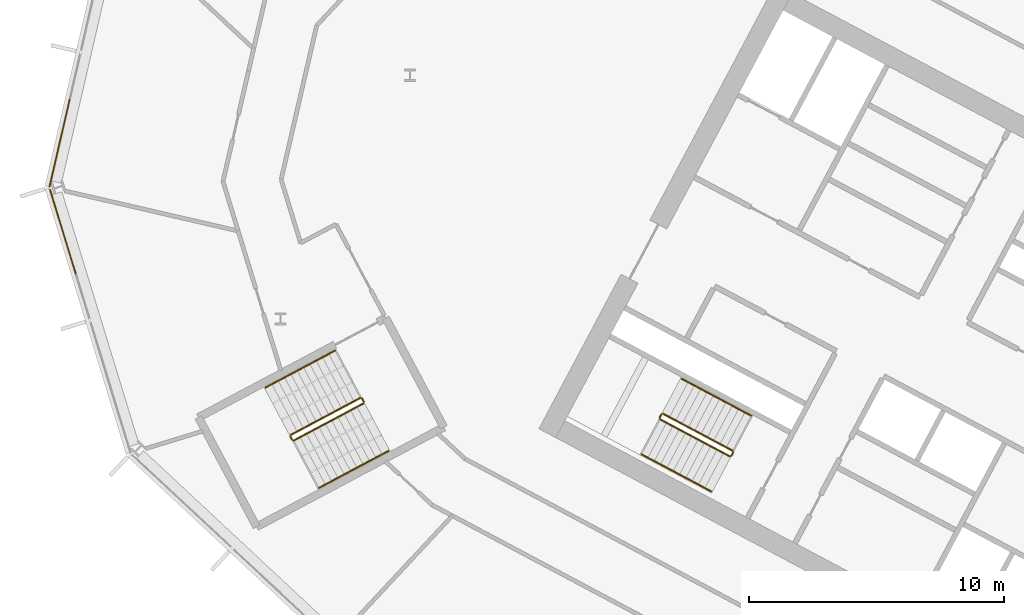
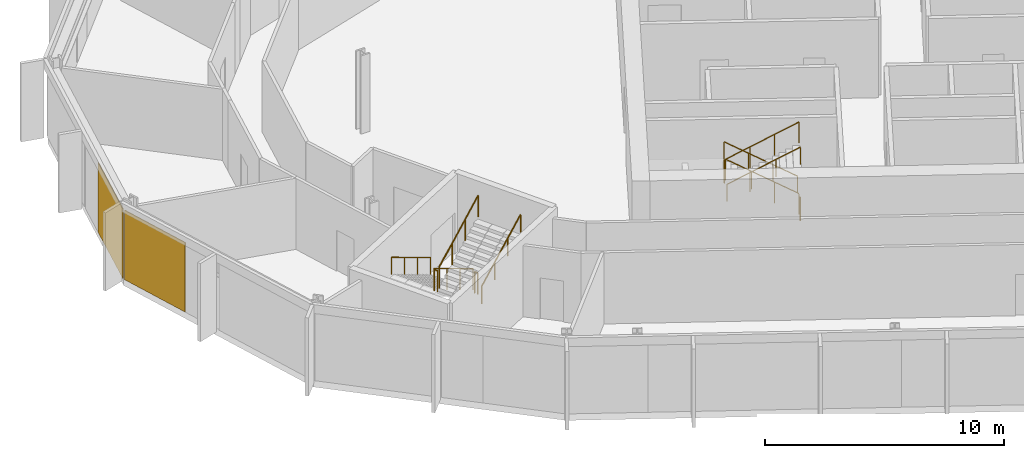
# One storey, part 21 of 28: 12 railings, 2 coverings, 2 elements without a shape of their own.
"""IFC4 building model written with IfcOpenShell, lengths in metres."""

import ifcopenshell
import ifcopenshell.guid

model = None  # the IFC model being written
_history = None  # IfcOwnerHistory: only IFC2X3 demands one
_inside = {}  # id of a spatial element -> (the spatial element, [elements in it])
_under = {}  # id of a project, library or spatial element -> (it, [spatial elements below it])
_declared = {}  # id of a project -> (the project, [libraries it declares])
_typed = {}  # id of a type object -> (the type object, [elements of that type])
_made_of = {}  # id of a material, layer set ... -> (it, [elements and type objects made of it])


def new_model(schema):
    """Start an empty IFC model of exactly this schema.

    Asked for "IFC4X3", IfcOpenShell would pick the latest addendum, in which some entities
    have other attributes; the version numbers below select the first issue.
    IFC2X3 requires an IfcOwnerHistory on every rooted entity: one is made here for all.
    """
    global model, _history
    if schema == "IFC4X3":
        model = ifcopenshell.file(schema_version=(4, 3, 0, 0))
    else:
        model = ifcopenshell.file(schema=schema)
    _inside.clear()
    _under.clear()
    _declared.clear()
    _typed.clear()
    _made_of.clear()
    _history = None
    if model.schema == "IFC2X3":
        org = make("IfcOrganization", Name="unknown")
        user = make(
            "IfcPersonAndOrganization",
            ThePerson=make("IfcPerson", FamilyName="unknown"),
            TheOrganization=org,
        )
        app = make(
            "IfcApplication",
            ApplicationDeveloper=org,
            Version="unknown",
            ApplicationFullName="unknown",
            ApplicationIdentifier="unknown",
        )
        _history = make(
            "IfcOwnerHistory",
            OwningUser=user,
            OwningApplication=app,
            ChangeAction="ADDED",
            CreationDate=0,
        )
    return model


def make(cls, **values):
    """One entity of the class cls with the attributes given. An attribute that is None is left unset."""
    return model.create_entity(
        cls, **{name: value for name, value in values.items() if value is not None}
    )


def rooted(cls, **values):
    """An entity with a GlobalId (a new one), such as an element, a storey or a relation."""
    return make(cls, GlobalId=ifcopenshell.guid.new(), OwnerHistory=_history, **values)


def si_unit(unit_type, name, prefix=None):
    """IfcSIUnit, for example si_unit("LENGTHUNIT", "METRE", prefix="MILLI")."""
    return make("IfcSIUnit", UnitType=unit_type, Prefix=prefix, Name=name)


def assignment(units):
    """IfcUnitAssignment: the units of a project."""
    return None if units is None else make("IfcUnitAssignment", Units=units)


def point(xyz):
    """IfcCartesianPoint."""
    return None if xyz is None else make("IfcCartesianPoint", Coordinates=xyz)


def direction(xyz):
    """IfcDirection."""
    return None if xyz is None else make("IfcDirection", DirectionRatios=xyz)


def frame(location, z_axis=None, x_axis=None):
    """IfcAxis2Placement3D, a coordinate frame: its origin and axes. An axis left out is left unset."""
    return make(
        "IfcAxis2Placement3D",
        Location=point(location),
        Axis=direction(z_axis),
        RefDirection=direction(x_axis),
    )


def frame_2d(location, x_axis=None):
    """IfcAxis2Placement2D, a coordinate frame in the plane: its origin and x axis."""
    return make(
        "IfcAxis2Placement2D", Location=point(location), RefDirection=direction(x_axis)
    )


def origin():
    """The frame at (0, 0, 0) with its axes left unset."""
    return frame((0.0, 0.0, 0.0))


def origin_2d():
    """The frame at (0, 0) in the plane with its x axis left unset."""
    return frame_2d((0.0, 0.0))


def place(relative_to, where):
    """IfcLocalPlacement: puts the frame where relative to a parent placement (None: the world)."""
    return make(
        "IfcLocalPlacement", PlacementRelTo=relative_to, RelativePlacement=where
    )


def context(
    kind, dimensions, precision=None, world=None, true_north=None, identifier=None
):
    """IfcGeometricRepresentationContext, for example the 3D "Model" context."""
    return make(
        "IfcGeometricRepresentationContext",
        ContextIdentifier=identifier,
        ContextType=kind,
        CoordinateSpaceDimension=dimensions,
        Precision=precision,
        WorldCoordinateSystem=world,
        TrueNorth=true_north,
    )


def subcontext(parent, identifier, kind, view, scale=None):
    """IfcGeometricRepresentationSubContext, for example "Body" below "Model"."""
    return make(
        "IfcGeometricRepresentationSubContext",
        ContextIdentifier=identifier,
        ContextType=kind,
        ParentContext=parent,
        TargetScale=scale,
        TargetView=view,
    )


def project(units=None, contexts=None):
    """IfcProject with its units and contexts."""
    return rooted(
        "IfcProject",
        Name="project",
        RepresentationContexts=contexts,
        UnitsInContext=assignment(units),
    )


def spatial(cls, under=None, at=None, **own):
    """A site, building, storey or space (cls), placed at a placement, below another one or the project."""
    s = rooted(cls, ObjectPlacement=at, **own)
    if under is not None:
        _under.setdefault(under.id(), (under, []))[1].append(s)
    return s


def polyline(points):
    """IfcPolyline through the points."""
    return make("IfcPolyline", Points=[point(p) for p in points])


def profile(cls, at=None, kind="AREA", **sizes):
    """A parametric profile (cls). Its sizes go by their IFC names, for example OverallWidth=200.0."""
    return make(cls, ProfileType=kind, Position=at, **sizes)


def rectangle(**sizes):
    """IfcRectangleProfileDef."""
    return profile("IfcRectangleProfileDef", **sizes)


def outline(outer, holes=None, kind="AREA"):
    """IfcArbitraryClosedProfileDef: a profile drawn as a closed curve; with holes, ...WithVoids."""
    if holes is None:
        return make("IfcArbitraryClosedProfileDef", ProfileType=kind, OuterCurve=outer)
    return make(
        "IfcArbitraryProfileDefWithVoids",
        ProfileType=kind,
        OuterCurve=outer,
        InnerCurves=holes,
    )


def extrude(swept, where, along, depth):
    """IfcExtrudedAreaSolid: the profile swept, set in the frame where, extruded along a direction by depth."""
    return make(
        "IfcExtrudedAreaSolid",
        SweptArea=swept,
        Position=where,
        ExtrudedDirection=direction(along),
        Depth=depth,
    )


def shape(context_of_items, identifier, shape_type, items):
    """IfcShapeRepresentation: the items that make up one representation, for example the "Body"."""
    return make(
        "IfcShapeRepresentation",
        ContextOfItems=context_of_items,
        RepresentationIdentifier=identifier,
        RepresentationType=shape_type,
        Items=items,
    )


def material(Name=None, Category=None):
    """IfcMaterial."""
    return make("IfcMaterial", Name=Name, Category=Category)


def layer(
    of_material, thickness, ventilated=None, Name=None, Category=None, Priority=None
):
    """IfcMaterialLayer: one layer of a wall or slab, of a material (None: an air gap)."""
    return make(
        "IfcMaterialLayer",
        Material=of_material,
        LayerThickness=thickness,
        IsVentilated=ventilated,
        Name=Name,
        Category=Category,
        Priority=Priority,
    )


def layer_set(layers, Name=None):
    """IfcMaterialLayerSet."""
    return make("IfcMaterialLayerSet", MaterialLayers=layers, LayerSetName=Name)


def made_of(thing, what):
    """Note that an element or type object is made of a material, layer set ...; save() writes the relation."""
    if what is not None:
        _made_of.setdefault(what.id(), (what, []))[1].append(thing)
    return thing


def type_object(cls, material=None, **own):
    """A type object (cls), such as IfcWallType, which elements share."""
    return made_of(rooted(cls, **own), material)


def element(
    cls,
    number,
    at=None,
    inside=None,
    cuts=None,
    type_object=None,
    material=None,
    context=None,
    identifier="Body",
    shape_type=None,
    held_by="IfcProductDefinitionShape",
    body=None,
    shapes=None,
    **own,
):
    """One element of the class cls, such as IfcWall. Its Tag is "e" and its number.

    at: its placement. inside: the storey or other place that contains it. cuts: it is an
    opening in that element (IfcRelVoidsElement). A single representation is given by context,
    identifier, shape_type and body (its items); several are given by shapes. held_by: the class
    of the entity that holds the representations. save() writes the other relations.
    """
    e = rooted(cls, Tag="e%d" % number, ObjectPlacement=at, **own)
    if body is not None:
        shapes = [shape(context, identifier, shape_type, body)]
    if shapes is not None:
        e.Representation = make(held_by, Representations=shapes)
    if inside is not None:
        _inside.setdefault(inside.id(), (inside, []))[1].append(e)
    if cuts is not None:
        rooted(
            "IfcRelVoidsElement", RelatingBuildingElement=cuts, RelatedOpeningElement=e
        )
    if type_object is not None:
        _typed.setdefault(type_object.id(), (type_object, []))[1].append(e)
    return made_of(e, material)


def aggregate(whole, parts):
    """IfcRelAggregates: a whole, such as a stair, and the parts it consists of."""
    return rooted("IfcRelAggregates", RelatingObject=whole, RelatedObjects=parts)


def save(model, path):
    """Write the relations noted so far, then the file.

    IfcRelAggregates (storeys below a building ...), IfcRelContainedInSpatialStructure (elements
    in a storey), IfcRelDefinesByType, IfcRelAssociatesMaterial and IfcRelDeclares: one each for
    every whole, place, type object, material and project.
    """
    for whole, parts in _under.values():
        aggregate(whole, parts)
    for where, things in _inside.values():
        rooted(
            "IfcRelContainedInSpatialStructure",
            RelatedElements=things,
            RelatingStructure=where,
        )
    for kind, things in _typed.values():
        rooted("IfcRelDefinesByType", RelatedObjects=things, RelatingType=kind)
    for what, things in _made_of.values():
        rooted("IfcRelAssociatesMaterial", RelatedObjects=things, RelatingMaterial=what)
    for by, libraries in _declared.values():
        rooted("IfcRelDeclares", RelatingContext=by, RelatedDefinitions=libraries)
    model.write(path)


model = new_model("IFC4")

# Units and contexts
model_context = context("Model", 3, precision=1e-05, world=origin(), true_north=direction((0.0, 1.0)))
body_context = subcontext(model_context, "Body", "Model", "MODEL_VIEW")
ifc_project = project(units=[si_unit("LENGTHUNIT", "METRE"), si_unit("AREAUNIT", "SQUARE_METRE"), si_unit("VOLUMEUNIT", "CUBIC_METRE"), si_unit("PLANEANGLEUNIT", "RADIAN"), si_unit("MASSUNIT", "GRAM", prefix="KILO")], contexts=[model_context])

# Site, building, storey
site_placement = place(None, origin())
site = spatial("IfcSite", under=ifc_project, at=site_placement, CompositionType="ELEMENT")
building_placement = place(site_placement, origin())
building = spatial("IfcBuilding", under=site, at=building_placement, Name="Cormorant Relay Tower", CompositionType="ELEMENT")
storey_placement = place(building_placement, frame((0.0, 0.0, 158.199951171875)))
storey = spatial("IfcBuildingStorey", under=building, at=storey_placement, Name="L33", CompositionType="ELEMENT", Elevation=158.199951171875)

# Curtain wall, covering
ifc_material_1 = material(Name="Aluminium 6063-T6 anodised bronze", Category="aluminium")
ifc_layer_1 = layer(ifc_material_1, 0.199951171875)
ifc_layer_set_1 = layer_set([ifc_layer_1], Name="CW1 unitised bronze curtain wall with vertical fins")
curtain_wall_type = type_object("IfcCurtainWallType", Name="CW1 unitised bronze curtain wall with vertical fins", PredefinedType="NOTDEFINED", material=ifc_layer_set_1)
curtain_wall_1_placement = place(storey_placement, origin())
curtain_wall_1 = element("IfcCurtainWall", 1, at=curtain_wall_1_placement, inside=storey, type_object=curtain_wall_type, Name="CW1 curtain wall 13", PredefinedType="NOTDEFINED")
ifc_material_2 = material(Name="Pale bronze anodised aluminium insulated panel", Category="aluminium")
ifc_layer_2 = layer(ifc_material_2, 0.0400390625)
ifc_layer_set_2 = layer_set([ifc_layer_2], Name="CW1 pale bronze insulated panel 40")
covering_type = type_object("IfcCoveringType", Name="CW1 pale bronze insulated panel 40", PredefinedType="CLADDING", material=ifc_layer_set_2)
covering_1_placement = place(storey_placement, frame((-60.3388671875, 22.13232421875, 0.0), z_axis=(0.0, 0.0, 1.0), x_axis=(-0.224951054344, -0.974370064785, 0.0)))
covering_1 = element("IfcCovering", 2, at=covering_1_placement, type_object=covering_type, Name="CW1 panel S02", PredefinedType="CLADDING", context=body_context, shape_type="SweptSolid", body=[
    extrude(rectangle(XDim=3.560302734375, YDim=0.0400390625, at=origin_2d()), origin(), (0.0, 0.0, 1.0), 3.550048828125),
])
aggregate(curtain_wall_1, [covering_1])

curtain_wall_2_placement = place(storey_placement, origin())
curtain_wall_2 = element("IfcCurtainWall", 3, at=curtain_wall_2_placement, inside=storey, type_object=curtain_wall_type, Name="CW1 curtain wall 14", PredefinedType="NOTDEFINED")
covering_2_placement = place(storey_placement, frame((-60.20751953125, 18.6494140625, 0.0), z_axis=(0.0, 0.0, 1.0), x_axis=(0.292371704723, -0.956304755963, 0.0)))
covering_2 = element("IfcCovering", 4, at=covering_2_placement, type_object=covering_type, Name="CW1 panel S00", PredefinedType="CLADDING", context=body_context, shape_type="SweptSolid", body=[
    extrude(rectangle(XDim=3.485107421875, YDim=0.0400390625, at=origin_2d()), origin(), (0.0, 0.0, 1.0), 3.550048828125),
])
aggregate(curtain_wall_2, [covering_2])

# Railings
ifc_material_3 = material(Name="Steel ASTM A572 Grade 50 (Fy 345 MPa)", Category="steel")
railing_type_1 = type_object("IfcRailingType", Name="Stair guard 1100", PredefinedType="GUARDRAIL", material=ifc_material_3)
railing_1_placement = place(storey_placement, frame((-33.9921875, 10.08935546875, 0.166748046875)))
element("IfcRailing", 5, at=railing_1_placement, inside=storey, type_object=railing_type_1, Name="L33 A2 stair guard 1", PredefinedType="GUARDRAIL", context=body_context, shape_type="SweptSolid", body=[
    extrude(outline(polyline([(0.022216796875, 0.00927734375), (0.00927734375, 0.022216796875), (-0.00927734375, 0.022216796875), (-0.022216796875, 0.00927734375), (-0.022216796875, -0.00927734375), (-0.00927734375, -0.022216796875), (0.00927734375, -0.022216796875), (0.022216796875, -0.00927734375), (0.022216796875, 0.00927734375)])), frame((0.0, 0.0, 1.076171875), z_axis=(-0.758713656843, 0.403434867536, 0.511462505542), x_axis=(-0.469489399267, -0.882938108802, 0.0)), (0.0, 0.0, 1.0), 3.584228515625),
    extrude(outline(polyline([(0.019287109375, 0.008056640625), (0.008056640625, 0.019287109375), (-0.008056640625, 0.019287109375), (-0.019287109375, 0.008056640625), (-0.019287109375, -0.008056640625), (-0.008056640625, -0.019287109375), (0.008056640625, -0.019287109375), (0.019287109375, -0.008056640625), (0.019287109375, 0.008056640625)])), origin(), (0.0, 0.0, 1.0), 1.052001953125),
    extrude(outline(polyline([(0.019287109375, 0.008056640625), (0.008056640625, 0.019287109375), (-0.008056640625, 0.019287109375), (-0.019287109375, 0.008056640625), (-0.019287109375, -0.008056640625), (-0.008056640625, -0.019287109375), (0.008056640625, -0.019287109375), (0.019287109375, -0.008056640625), (0.019287109375, 0.008056640625)])), frame((-0.906494140625, 0.48193359375, 0.611083984375)), (0.0, 0.0, 1.0), 1.052001953125),
    extrude(outline(polyline([(0.019287109375, 0.008056640625), (0.008056640625, 0.019287109375), (-0.008056640625, 0.019287109375), (-0.019287109375, 0.008056640625), (-0.019287109375, -0.008056640625), (-0.008056640625, -0.019287109375), (0.008056640625, -0.019287109375), (0.019287109375, -0.008056640625), (0.019287109375, 0.008056640625)])), frame((-1.81298828125, 0.964111328125, 1.22216796875)), (0.0, 0.0, 1.0), 1.052001953125),
    extrude(outline(polyline([(0.019287109375, 0.008056640625), (0.008056640625, 0.019287109375), (-0.008056640625, 0.019287109375), (-0.019287109375, 0.008056640625), (-0.019287109375, -0.008056640625), (-0.008056640625, -0.019287109375), (0.008056640625, -0.019287109375), (0.019287109375, -0.008056640625), (0.019287109375, 0.008056640625)])), frame((-2.719482421875, 1.446044921875, 1.833251953125)), (0.0, 0.0, 1.0), 1.052001953125),
])
railing_2_placement = place(storey_placement, frame((-36.779296875, 11.5146484375, 2.0)))
element("IfcRailing", 6, at=railing_2_placement, inside=storey, type_object=railing_type_1, Name="L33 A2 stair guard 2", PredefinedType="GUARDRAIL", context=body_context, shape_type="SweptSolid", body=[
    extrude(outline(polyline([(0.022216796875, 0.00927734375), (0.00927734375, 0.022216796875), (-0.00927734375, 0.022216796875), (-0.022216796875, 0.00927734375), (-0.022216796875, -0.00927734375), (-0.00927734375, -0.022216796875), (0.00927734375, -0.022216796875), (0.022216796875, -0.00927734375), (0.022216796875, 0.00927734375)])), frame((0.0, 0.0, 1.076171875), z_axis=(-0.469234640946, -0.883073525669, 0.0), x_axis=(0.883073525669, -0.469234640946, 0.0)), (0.0, 0.0, 1.0), 0.14990234375),
    extrude(outline(polyline([(0.019287109375, 0.008056640625), (0.008056640625, 0.019287109375), (-0.008056640625, 0.019287109375), (-0.019287109375, 0.008056640625), (-0.019287109375, -0.008056640625), (-0.008056640625, -0.019287109375), (0.008056640625, -0.019287109375), (0.019287109375, -0.008056640625), (0.019287109375, 0.008056640625)])), origin(), (0.0, 0.0, 1.0), 1.052001953125),
    extrude(outline(polyline([(0.019287109375, 0.008056640625), (0.008056640625, 0.019287109375), (-0.008056640625, 0.019287109375), (-0.019287109375, 0.008056640625), (-0.019287109375, -0.008056640625), (-0.008056640625, -0.019287109375), (0.008056640625, -0.019287109375), (0.019287109375, -0.008056640625), (0.019287109375, 0.008056640625)])), frame((-0.0703125, -0.13232421875, 0.0)), (0.0, 0.0, 1.0), 1.052001953125),
])
railing_3_placement = place(storey_placement, frame((-36.8291015625, 11.314697265625, 2.166748046875)))
element("IfcRailing", 7, at=railing_3_placement, inside=storey, type_object=railing_type_1, Name="L33 A2 stair guard 3", PredefinedType="GUARDRAIL", context=body_context, shape_type="SweptSolid", body=[
    extrude(outline(polyline([(0.022216796875, 0.00927734375), (0.00927734375, 0.022216796875), (-0.00927734375, 0.022216796875), (-0.022216796875, 0.00927734375), (-0.022216796875, -0.00927734375), (-0.00927734375, -0.022216796875), (0.00927734375, -0.022216796875), (0.022216796875, -0.00927734375), (0.022216796875, 0.00927734375)])), frame((0.0, 0.0, 1.076171875), z_axis=(0.758713656843, -0.403434867536, 0.511462505542), x_axis=(0.469489399267, 0.882938108802, 0.0)), (0.0, 0.0, 1.0), 3.584228515625),
    extrude(outline(polyline([(0.019287109375, 0.008056640625), (0.008056640625, 0.019287109375), (-0.008056640625, 0.019287109375), (-0.019287109375, 0.008056640625), (-0.019287109375, -0.008056640625), (-0.008056640625, -0.019287109375), (0.008056640625, -0.019287109375), (0.019287109375, -0.008056640625), (0.019287109375, 0.008056640625)])), origin(), (0.0, 0.0, 1.0), 1.052001953125),
    extrude(outline(polyline([(0.019287109375, 0.008056640625), (0.008056640625, 0.019287109375), (-0.008056640625, 0.019287109375), (-0.019287109375, 0.008056640625), (-0.019287109375, -0.008056640625), (-0.008056640625, -0.019287109375), (0.008056640625, -0.019287109375), (0.019287109375, -0.008056640625), (0.019287109375, 0.008056640625)])), frame((0.906494140625, -0.48193359375, 0.611083984375)), (0.0, 0.0, 1.0), 1.052001953125),
    extrude(outline(polyline([(0.019287109375, 0.008056640625), (0.008056640625, 0.019287109375), (-0.008056640625, 0.019287109375), (-0.019287109375, 0.008056640625), (-0.019287109375, -0.008056640625), (-0.008056640625, -0.019287109375), (0.008056640625, -0.019287109375), (0.019287109375, -0.008056640625), (0.019287109375, 0.008056640625)])), frame((1.81298828125, -0.964111328125, 1.22216796875)), (0.0, 0.0, 1.0), 1.052001953125),
    extrude(outline(polyline([(0.019287109375, 0.008056640625), (0.008056640625, 0.019287109375), (-0.008056640625, 0.019287109375), (-0.019287109375, 0.008056640625), (-0.019287109375, -0.008056640625), (-0.008056640625, -0.019287109375), (0.008056640625, -0.019287109375), (0.019287109375, -0.008056640625), (0.019287109375, 0.008056640625)])), frame((2.719482421875, -1.446044921875, 1.833251953125)), (0.0, 0.0, 1.0), 1.052001953125),
])
railing_4_placement = place(storey_placement, frame((-33.971435546875, 10.021728515625, 0.0)))
element("IfcRailing", 8, at=railing_4_placement, inside=storey, type_object=railing_type_1, Name="L33 A2 stair guard 4", PredefinedType="GUARDRAIL", context=body_context, shape_type="SweptSolid", body=[
    extrude(outline(polyline([(0.022216796875, 0.00927734375), (0.00927734375, 0.022216796875), (-0.00927734375, 0.022216796875), (-0.022216796875, 0.00927734375), (-0.022216796875, -0.00927734375), (-0.00927734375, -0.022216796875), (0.00927734375, -0.022216796875), (0.022216796875, -0.00927734375), (0.022216796875, 0.00927734375)])), frame((0.0, 0.0, 1.076171875), z_axis=(-0.470503732759, -0.882398003998, 0.0), x_axis=(0.882398003998, -0.470503732759, 0.0)), (0.0, 0.0, 1.0), 0.14990234375),
    extrude(outline(polyline([(0.019287109375, 0.008056640625), (0.008056640625, 0.019287109375), (-0.008056640625, 0.019287109375), (-0.019287109375, 0.008056640625), (-0.019287109375, -0.008056640625), (-0.008056640625, -0.019287109375), (0.008056640625, -0.019287109375), (0.019287109375, -0.008056640625), (0.019287109375, 0.008056640625)])), origin(), (0.0, 0.0, 1.0), 1.052001953125),
    extrude(outline(polyline([(0.019287109375, 0.008056640625), (0.008056640625, 0.019287109375), (-0.008056640625, 0.019287109375), (-0.019287109375, 0.008056640625), (-0.019287109375, -0.008056640625), (-0.008056640625, -0.019287109375), (0.008056640625, -0.019287109375), (0.019287109375, -0.008056640625), (0.019287109375, 0.008056640625)])), frame((-0.070556640625, -0.13232421875, 0.0)), (0.0, 0.0, 1.0), 1.052001953125),
])
railing_5_placement = place(storey_placement, frame((-48.5693359375, 12.155517578125, 0.166748046875)))
element("IfcRailing", 9, at=railing_5_placement, inside=storey, type_object=railing_type_1, Name="L33 RP1 stair guard 1", PredefinedType="GUARDRAIL", context=body_context, shape_type="SweptSolid", body=[
    extrude(outline(polyline([(0.022216796875, 0.00927734375), (0.00927734375, 0.022216796875), (-0.00927734375, 0.022216796875), (-0.022216796875, 0.00927734375), (-0.022216796875, -0.00927734375), (-0.00927734375, -0.022216796875), (0.00927734375, -0.022216796875), (0.022216796875, -0.00927734375), (0.022216796875, 0.00927734375)])), frame((0.0, 0.0, 1.076171875), z_axis=(-0.758713656843, -0.403434867536, 0.511462505542), x_axis=(0.469489399267, -0.882938108802, 0.0)), (0.0, 0.0, 1.0), 3.584228515625),
    extrude(outline(polyline([(0.019287109375, 0.008056640625), (0.008056640625, 0.019287109375), (-0.008056640625, 0.019287109375), (-0.019287109375, 0.008056640625), (-0.019287109375, -0.008056640625), (-0.008056640625, -0.019287109375), (0.008056640625, -0.019287109375), (0.019287109375, -0.008056640625), (0.019287109375, 0.008056640625)])), origin(), (0.0, 0.0, 1.0), 1.052001953125),
    extrude(outline(polyline([(0.019287109375, 0.008056640625), (0.008056640625, 0.019287109375), (-0.008056640625, 0.019287109375), (-0.019287109375, 0.008056640625), (-0.019287109375, -0.008056640625), (-0.008056640625, -0.019287109375), (0.008056640625, -0.019287109375), (0.019287109375, -0.008056640625), (0.019287109375, 0.008056640625)])), frame((-0.906494140625, -0.48193359375, 0.611083984375)), (0.0, 0.0, 1.0), 1.052001953125),
    extrude(outline(polyline([(0.019287109375, 0.008056640625), (0.008056640625, 0.019287109375), (-0.008056640625, 0.019287109375), (-0.019287109375, 0.008056640625), (-0.019287109375, -0.008056640625), (-0.008056640625, -0.019287109375), (0.008056640625, -0.019287109375), (0.019287109375, -0.008056640625), (0.019287109375, 0.008056640625)])), frame((-1.81298828125, -0.964111328125, 1.22216796875)), (0.0, 0.0, 1.0), 1.052001953125),
    extrude(outline(polyline([(0.019287109375, 0.008056640625), (0.008056640625, 0.019287109375), (-0.008056640625, 0.019287109375), (-0.019287109375, 0.008056640625), (-0.019287109375, -0.008056640625), (-0.008056640625, -0.019287109375), (0.008056640625, -0.019287109375), (0.019287109375, -0.008056640625), (0.019287109375, 0.008056640625)])), frame((-2.719482421875, -1.446044921875, 1.833251953125)), (0.0, 0.0, 1.0), 1.052001953125),
])
railing_6_placement = place(storey_placement, frame((-51.3095703125, 10.641845703125, 2.0)))
element("IfcRailing", 10, at=railing_6_placement, inside=storey, type_object=railing_type_1, Name="L33 RP1 stair guard 2", PredefinedType="GUARDRAIL", context=body_context, shape_type="SweptSolid", body=[
    extrude(outline(polyline([(0.022216796875, 0.00927734375), (0.00927734375, 0.022216796875), (-0.00927734375, 0.022216796875), (-0.022216796875, 0.00927734375), (-0.022216796875, -0.00927734375), (-0.00927734375, -0.022216796875), (0.00927734375, -0.022216796875), (0.022216796875, -0.00927734375), (0.022216796875, 0.00927734375)])), frame((0.0, 0.0, 1.076171875), z_axis=(0.469828648786, -0.882757634224, 0.0), x_axis=(0.882757634224, 0.469828648786, 0.0)), (0.0, 0.0, 1.0), 0.150146484375),
    extrude(outline(polyline([(0.019287109375, 0.008056640625), (0.008056640625, 0.019287109375), (-0.008056640625, 0.019287109375), (-0.019287109375, 0.008056640625), (-0.019287109375, -0.008056640625), (-0.008056640625, -0.019287109375), (0.008056640625, -0.019287109375), (0.019287109375, -0.008056640625), (0.019287109375, 0.008056640625)])), origin(), (0.0, 0.0, 1.0), 1.052001953125),
    extrude(outline(polyline([(0.019287109375, 0.008056640625), (0.008056640625, 0.019287109375), (-0.008056640625, 0.019287109375), (-0.019287109375, 0.008056640625), (-0.019287109375, -0.008056640625), (-0.008056640625, -0.019287109375), (0.008056640625, -0.019287109375), (0.019287109375, -0.008056640625), (0.019287109375, 0.008056640625)])), frame((0.070556640625, -0.132568359375, 0.0)), (0.0, 0.0, 1.0), 1.052001953125),
])
railing_7_placement = place(storey_placement, frame((-51.17138671875, 10.48876953125, 2.166748046875)))
element("IfcRailing", 11, at=railing_7_placement, inside=storey, type_object=railing_type_1, Name="L33 RP1 stair guard 3", PredefinedType="GUARDRAIL", context=body_context, shape_type="SweptSolid", body=[
    extrude(outline(polyline([(0.022216796875, 0.00927734375), (0.00927734375, 0.022216796875), (-0.00927734375, 0.022216796875), (-0.022216796875, 0.00927734375), (-0.022216796875, -0.00927734375), (-0.00927734375, -0.022216796875), (0.00927734375, -0.022216796875), (0.022216796875, -0.00927734375), (0.022216796875, 0.00927734375)])), frame((0.0, 0.0, 1.076171875), z_axis=(0.758734504837, 0.403377838015, 0.511476559549), x_axis=(-0.469427602063, 0.882970965786, 0.0)), (0.0, 0.0, 1.0), 3.584228515625),
    extrude(outline(polyline([(0.019287109375, 0.008056640625), (0.008056640625, 0.019287109375), (-0.008056640625, 0.019287109375), (-0.019287109375, 0.008056640625), (-0.019287109375, -0.008056640625), (-0.008056640625, -0.019287109375), (0.008056640625, -0.019287109375), (0.019287109375, -0.008056640625), (0.019287109375, 0.008056640625)])), origin(), (0.0, 0.0, 1.0), 1.052001953125),
    extrude(outline(polyline([(0.019287109375, 0.008056640625), (0.008056640625, 0.019287109375), (-0.008056640625, 0.019287109375), (-0.019287109375, 0.008056640625), (-0.019287109375, -0.008056640625), (-0.008056640625, -0.019287109375), (0.008056640625, -0.019287109375), (0.019287109375, -0.008056640625), (0.019287109375, 0.008056640625)])), frame((0.906494140625, 0.48193359375, 0.611083984375)), (0.0, 0.0, 1.0), 1.052001953125),
    extrude(outline(polyline([(0.019287109375, 0.008056640625), (0.008056640625, 0.019287109375), (-0.008056640625, 0.019287109375), (-0.019287109375, 0.008056640625), (-0.019287109375, -0.008056640625), (-0.008056640625, -0.019287109375), (0.008056640625, -0.019287109375), (0.019287109375, -0.008056640625), (0.019287109375, 0.008056640625)])), frame((1.81298828125, 0.9638671875, 1.22216796875)), (0.0, 0.0, 1.0), 1.052001953125),
    extrude(outline(polyline([(0.019287109375, 0.008056640625), (0.008056640625, 0.019287109375), (-0.008056640625, 0.019287109375), (-0.019287109375, 0.008056640625), (-0.019287109375, -0.008056640625), (-0.008056640625, -0.019287109375), (0.008056640625, -0.019287109375), (0.019287109375, -0.008056640625), (0.019287109375, 0.008056640625)])), frame((2.719482421875, 1.44580078125, 1.833251953125)), (0.0, 0.0, 1.0), 1.052001953125),
])
railing_8_placement = place(storey_placement, frame((-48.501708984375, 12.134765625, 0.0)))
element("IfcRailing", 12, at=railing_8_placement, inside=storey, type_object=railing_type_1, Name="L33 RP1 stair guard 4", PredefinedType="GUARDRAIL", context=body_context, shape_type="SweptSolid", body=[
    extrude(outline(polyline([(0.022216796875, 0.00927734375), (0.00927734375, 0.022216796875), (-0.00927734375, 0.022216796875), (-0.022216796875, 0.00927734375), (-0.022216796875, -0.00927734375), (-0.00927734375, -0.022216796875), (0.00927734375, -0.022216796875), (0.022216796875, -0.00927734375), (0.022216796875, 0.00927734375)])), frame((0.0, 0.0, 1.076171875), z_axis=(0.46856034887, -0.8834314911, 0.0), x_axis=(0.8834314911, 0.46856034887, 0.0)), (0.0, 0.0, 1.0), 0.150146484375),
    extrude(outline(polyline([(0.019287109375, 0.008056640625), (0.008056640625, 0.019287109375), (-0.008056640625, 0.019287109375), (-0.019287109375, 0.008056640625), (-0.019287109375, -0.008056640625), (-0.008056640625, -0.019287109375), (0.008056640625, -0.019287109375), (0.019287109375, -0.008056640625), (0.019287109375, 0.008056640625)])), origin(), (0.0, 0.0, 1.0), 1.052001953125),
    extrude(outline(polyline([(0.019287109375, 0.008056640625), (0.008056640625, 0.019287109375), (-0.008056640625, 0.019287109375), (-0.019287109375, 0.008056640625), (-0.019287109375, -0.008056640625), (-0.008056640625, -0.019287109375), (0.008056640625, -0.019287109375), (0.019287109375, -0.008056640625), (0.019287109375, 0.008056640625)])), frame((0.0703125, -0.132568359375, 0.0)), (0.0, 0.0, 1.0), 1.052001953125),
])
ifc_material_4 = material(Name="Steel ASTM A572 Grade 50 (Fy 345 MPa)", Category="steel")
railing_type_2 = type_object("IfcRailingType", Name="Stair handrail 900", PredefinedType="HANDRAIL", material=ifc_material_4)
railing_9_placement = place(storey_placement, frame((-33.264404296875, 11.4580078125, 0.166748046875)))
element("IfcRailing", 13, at=railing_9_placement, inside=storey, type_object=railing_type_2, Name="L33 A2 stair handrail 1", PredefinedType="HANDRAIL", context=body_context, shape_type="SweptSolid", body=[
    extrude(outline(polyline([(0.022216796875, 0.00927734375), (0.00927734375, 0.022216796875), (-0.00927734375, 0.022216796875), (-0.022216796875, 0.00927734375), (-0.022216796875, -0.00927734375), (-0.00927734375, -0.022216796875), (0.00927734375, -0.022216796875), (0.022216796875, -0.00927734375), (0.022216796875, 0.00927734375)])), frame((0.0, 0.0, 0.8759765625), z_axis=(-0.758734504837, 0.403377838015, 0.511476559549), x_axis=(-0.469427602063, -0.882970965786, 0.0)), (0.0, 0.0, 1.0), 3.584228515625),
    extrude(outline(polyline([(0.019287109375, 0.008056640625), (0.008056640625, 0.019287109375), (-0.008056640625, 0.019287109375), (-0.019287109375, 0.008056640625), (-0.019287109375, -0.008056640625), (-0.008056640625, -0.019287109375), (0.008056640625, -0.019287109375), (0.019287109375, -0.008056640625), (0.019287109375, 0.008056640625)])), origin(), (0.0, 0.0, 1.0), 0.851806640625),
    extrude(outline(polyline([(0.019287109375, 0.008056640625), (0.008056640625, 0.019287109375), (-0.008056640625, 0.019287109375), (-0.019287109375, 0.008056640625), (-0.019287109375, -0.008056640625), (-0.008056640625, -0.019287109375), (0.008056640625, -0.019287109375), (0.019287109375, -0.008056640625), (0.019287109375, 0.008056640625)])), frame((-0.906494140625, 0.48193359375, 0.611083984375)), (0.0, 0.0, 1.0), 0.851806640625),
    extrude(outline(polyline([(0.019287109375, 0.008056640625), (0.008056640625, 0.019287109375), (-0.008056640625, 0.019287109375), (-0.019287109375, 0.008056640625), (-0.019287109375, -0.008056640625), (-0.008056640625, -0.019287109375), (0.008056640625, -0.019287109375), (0.019287109375, -0.008056640625), (0.019287109375, 0.008056640625)])), frame((-1.81298828125, 0.9638671875, 1.22216796875)), (0.0, 0.0, 1.0), 0.851806640625),
    extrude(outline(polyline([(0.019287109375, 0.008056640625), (0.008056640625, 0.019287109375), (-0.008056640625, 0.019287109375), (-0.019287109375, 0.008056640625), (-0.019287109375, -0.008056640625), (-0.008056640625, -0.019287109375), (0.008056640625, -0.019287109375), (0.019287109375, -0.008056640625), (0.019287109375, 0.008056640625)])), frame((-2.719482421875, 1.44580078125, 1.833251953125)), (0.0, 0.0, 1.0), 0.851806640625),
])
railing_10_placement = place(storey_placement, frame((-37.556640625, 9.946044921875, 2.166748046875)))
element("IfcRailing", 14, at=railing_10_placement, inside=storey, type_object=railing_type_2, Name="L33 A2 stair handrail 2", PredefinedType="HANDRAIL", context=body_context, shape_type="SweptSolid", body=[
    extrude(outline(polyline([(0.022216796875, 0.00927734375), (0.00927734375, 0.022216796875), (-0.00927734375, 0.022216796875), (-0.022216796875, 0.00927734375), (-0.022216796875, -0.00927734375), (-0.00927734375, -0.022216796875), (0.00927734375, -0.022216796875), (0.022216796875, -0.00927734375), (0.022216796875, 0.00927734375)])), frame((0.0, 0.0, 0.8759765625), z_axis=(0.758713656843, -0.403434867536, 0.511462505542), x_axis=(0.469489399267, 0.882938108802, 0.0)), (0.0, 0.0, 1.0), 3.584228515625),
    extrude(outline(polyline([(0.019287109375, 0.008056640625), (0.008056640625, 0.019287109375), (-0.008056640625, 0.019287109375), (-0.019287109375, 0.008056640625), (-0.019287109375, -0.008056640625), (-0.008056640625, -0.019287109375), (0.008056640625, -0.019287109375), (0.019287109375, -0.008056640625), (0.019287109375, 0.008056640625)])), origin(), (0.0, 0.0, 1.0), 0.851806640625),
    extrude(outline(polyline([(0.019287109375, 0.008056640625), (0.008056640625, 0.019287109375), (-0.008056640625, 0.019287109375), (-0.019287109375, 0.008056640625), (-0.019287109375, -0.008056640625), (-0.008056640625, -0.019287109375), (0.008056640625, -0.019287109375), (0.019287109375, -0.008056640625), (0.019287109375, 0.008056640625)])), frame((0.906494140625, -0.48193359375, 0.611083984375)), (0.0, 0.0, 1.0), 0.851806640625),
    extrude(outline(polyline([(0.019287109375, 0.008056640625), (0.008056640625, 0.019287109375), (-0.008056640625, 0.019287109375), (-0.019287109375, 0.008056640625), (-0.019287109375, -0.008056640625), (-0.008056640625, -0.019287109375), (0.008056640625, -0.019287109375), (0.019287109375, -0.008056640625), (0.019287109375, 0.008056640625)])), frame((1.81298828125, -0.964111328125, 1.22216796875)), (0.0, 0.0, 1.0), 0.851806640625),
    extrude(outline(polyline([(0.019287109375, 0.008056640625), (0.008056640625, 0.019287109375), (-0.008056640625, 0.019287109375), (-0.019287109375, 0.008056640625), (-0.019287109375, -0.008056640625), (-0.008056640625, -0.019287109375), (0.008056640625, -0.019287109375), (0.019287109375, -0.008056640625), (0.019287109375, 0.008056640625)])), frame((2.719482421875, -1.446044921875, 1.833251953125)), (0.0, 0.0, 1.0), 0.851806640625),
])
railing_11_placement = place(storey_placement, frame((-49.55517578125, 14.009521484375, 0.166748046875)))
element("IfcRailing", 15, at=railing_11_placement, inside=storey, type_object=railing_type_2, Name="L33 RP1 stair handrail 1", PredefinedType="HANDRAIL", context=body_context, shape_type="SweptSolid", body=[
    extrude(outline(polyline([(0.022216796875, 0.00927734375), (0.00927734375, 0.022216796875), (-0.00927734375, 0.022216796875), (-0.022216796875, 0.00927734375), (-0.022216796875, -0.00927734375), (-0.00927734375, -0.022216796875), (0.00927734375, -0.022216796875), (0.022216796875, -0.00927734375), (0.022216796875, 0.00927734375)])), frame((0.0, 0.0, 0.8759765625), z_axis=(-0.758734504837, -0.403377838015, 0.511476559549), x_axis=(0.469427602063, -0.882970965786, 0.0)), (0.0, 0.0, 1.0), 3.584228515625),
    extrude(outline(polyline([(0.019287109375, 0.008056640625), (0.008056640625, 0.019287109375), (-0.008056640625, 0.019287109375), (-0.019287109375, 0.008056640625), (-0.019287109375, -0.008056640625), (-0.008056640625, -0.019287109375), (0.008056640625, -0.019287109375), (0.019287109375, -0.008056640625), (0.019287109375, 0.008056640625)])), origin(), (0.0, 0.0, 1.0), 0.851806640625),
    extrude(outline(polyline([(0.019287109375, 0.008056640625), (0.008056640625, 0.019287109375), (-0.008056640625, 0.019287109375), (-0.019287109375, 0.008056640625), (-0.019287109375, -0.008056640625), (-0.008056640625, -0.019287109375), (0.008056640625, -0.019287109375), (0.019287109375, -0.008056640625), (0.019287109375, 0.008056640625)])), frame((-0.906494140625, -0.48193359375, 0.611083984375)), (0.0, 0.0, 1.0), 0.851806640625),
    extrude(outline(polyline([(0.019287109375, 0.008056640625), (0.008056640625, 0.019287109375), (-0.008056640625, 0.019287109375), (-0.019287109375, 0.008056640625), (-0.019287109375, -0.008056640625), (-0.008056640625, -0.019287109375), (0.008056640625, -0.019287109375), (0.019287109375, -0.008056640625), (0.019287109375, 0.008056640625)])), frame((-1.81298828125, -0.9638671875, 1.22216796875)), (0.0, 0.0, 1.0), 0.851806640625),
    extrude(outline(polyline([(0.019287109375, 0.008056640625), (0.008056640625, 0.019287109375), (-0.008056640625, 0.019287109375), (-0.019287109375, 0.008056640625), (-0.019287109375, -0.008056640625), (-0.008056640625, -0.019287109375), (0.008056640625, -0.019287109375), (0.019287109375, -0.008056640625), (0.019287109375, 0.008056640625)])), frame((-2.719482421875, -1.44580078125, 1.833251953125)), (0.0, 0.0, 1.0), 0.851806640625),
])
railing_12_placement = place(storey_placement, frame((-50.185546875, 8.634521484375, 2.166748046875)))
element("IfcRailing", 16, at=railing_12_placement, inside=storey, type_object=railing_type_2, Name="L33 RP1 stair handrail 2", PredefinedType="HANDRAIL", context=body_context, shape_type="SweptSolid", body=[
    extrude(outline(polyline([(0.022216796875, 0.00927734375), (0.00927734375, 0.022216796875), (-0.00927734375, 0.022216796875), (-0.022216796875, 0.00927734375), (-0.022216796875, -0.00927734375), (-0.00927734375, -0.022216796875), (0.00927734375, -0.022216796875), (0.022216796875, -0.00927734375), (0.022216796875, 0.00927734375)])), frame((0.0, 0.0, 0.8759765625), z_axis=(0.758713656843, 0.403434867536, 0.511462505542), x_axis=(-0.469489399267, 0.882938108802, 0.0)), (0.0, 0.0, 1.0), 3.584228515625),
    extrude(outline(polyline([(0.019287109375, 0.008056640625), (0.008056640625, 0.019287109375), (-0.008056640625, 0.019287109375), (-0.019287109375, 0.008056640625), (-0.019287109375, -0.008056640625), (-0.008056640625, -0.019287109375), (0.008056640625, -0.019287109375), (0.019287109375, -0.008056640625), (0.019287109375, 0.008056640625)])), origin(), (0.0, 0.0, 1.0), 0.851806640625),
    extrude(outline(polyline([(0.019287109375, 0.008056640625), (0.008056640625, 0.019287109375), (-0.008056640625, 0.019287109375), (-0.019287109375, 0.008056640625), (-0.019287109375, -0.008056640625), (-0.008056640625, -0.019287109375), (0.008056640625, -0.019287109375), (0.019287109375, -0.008056640625), (0.019287109375, 0.008056640625)])), frame((0.906494140625, 0.48193359375, 0.611083984375)), (0.0, 0.0, 1.0), 0.851806640625),
    extrude(outline(polyline([(0.019287109375, 0.008056640625), (0.008056640625, 0.019287109375), (-0.008056640625, 0.019287109375), (-0.019287109375, 0.008056640625), (-0.019287109375, -0.008056640625), (-0.008056640625, -0.019287109375), (0.008056640625, -0.019287109375), (0.019287109375, -0.008056640625), (0.019287109375, 0.008056640625)])), frame((1.81298828125, 0.964111328125, 1.22216796875)), (0.0, 0.0, 1.0), 0.851806640625),
    extrude(outline(polyline([(0.019287109375, 0.008056640625), (0.008056640625, 0.019287109375), (-0.008056640625, 0.019287109375), (-0.019287109375, 0.008056640625), (-0.019287109375, -0.008056640625), (-0.008056640625, -0.019287109375), (0.008056640625, -0.019287109375), (0.019287109375, -0.008056640625), (0.019287109375, 0.008056640625)])), frame((2.719482421875, 1.446044921875, 1.833251953125)), (0.0, 0.0, 1.0), 0.851806640625),
])

save(model, "model.ifc")
